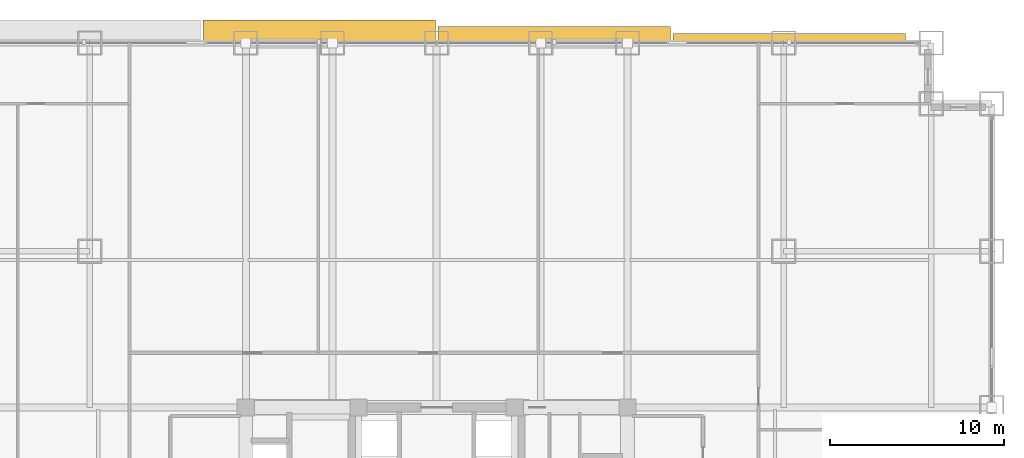
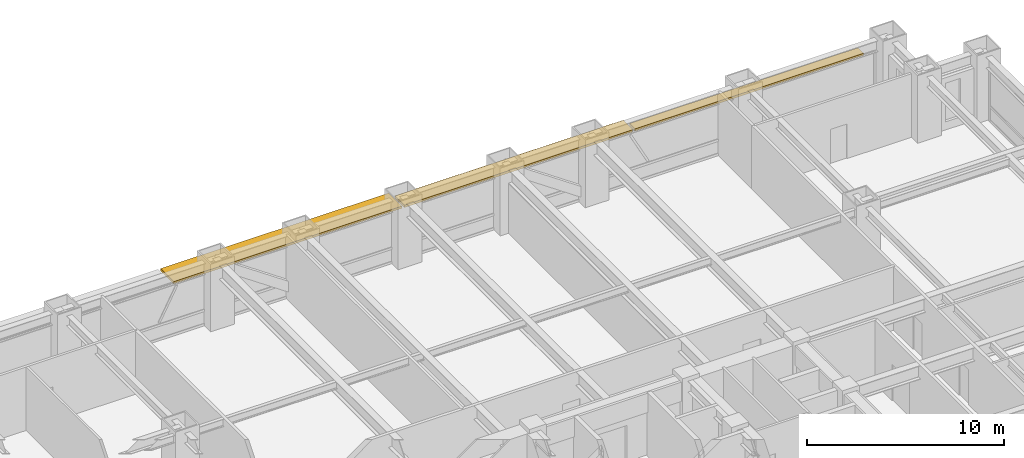
# One storey, part 32 of 32: 3 shading devices.
"""IFC4 building model written with IfcOpenShell, lengths in metres."""

from ifc_helpers import new_model, si_unit, direction, frame, origin, origin_2d, place, context, subcontext, project, spatial, rectangle, extrude, source, transform, mapped, material, layer, layer_set, type_object, element, save


model = new_model("IFC4")

# Units and contexts
model_context = context("Model", 3, precision=1e-05, world=origin(), true_north=direction((0.0, 1.0)))
body_context = subcontext(model_context, "Body", "Model", "MODEL_VIEW")
ifc_project = project(units=[si_unit("LENGTHUNIT", "METRE"), si_unit("AREAUNIT", "SQUARE_METRE"), si_unit("VOLUMEUNIT", "CUBIC_METRE"), si_unit("PLANEANGLEUNIT", "RADIAN"), si_unit("MASSUNIT", "GRAM", prefix="KILO")], contexts=[model_context])

# Site, building, storey
site_placement = place(None, origin())
site = spatial("IfcSite", under=ifc_project, at=site_placement, CompositionType="ELEMENT")
building_placement = place(site_placement, origin())
building = spatial("IfcBuilding", under=site, at=building_placement, Name="Khorayat Bourse Tower", CompositionType="ELEMENT")
storey_placement = place(building_placement, frame((0.0, 0.0, 70.39990234375)))
storey = spatial("IfcBuildingStorey", under=building, at=storey_placement, Name="L15", CompositionType="ELEMENT", Elevation=70.39990234375)

# Shading devices
ifc_material = material(Name="Precast concrete C45/55", Category="concrete")
ifc_layer = layer(ifc_material, 0.139892578125)
ifc_layer_set = layer_set([ifc_layer], Name="Precast concrete C45/55")
shading_device_type = type_object("IfcShadingDeviceType", Name="SHD-WAVE-TRAY-B", PredefinedType="USERDEFINED", material=ifc_layer_set)
shared_shape_1 = source(origin(), body_context, "Body", "SweptSolid", [
    extrude(rectangle(XDim=13.409912109375, YDim=1.341796875, at=origin_2d()), origin(), (0.0, 0.0, 1.0), 0.139892578125),
])
shading_device_1_placement = place(storey_placement, frame((-6.77490234375, 32.65087890625, 3.18994140625), z_axis=(0.0, 0.0, 1.0), x_axis=(1.0, 0.0, 0.0)))
element("IfcShadingDevice", 1, at=shading_device_1_placement, inside=storey, type_object=shading_device_type, Name="L15 Sinusoidal Wave Sunshade Tray N-2", ObjectType="SUNSHADE", PredefinedType="USERDEFINED", context=body_context, shape_type="MappedRepresentation", body=[
    mapped(shared_shape_1, transform((0.0, 0.0, 0.0), scale=1.0)),
])
shared_shape_2 = source(origin(), body_context, "Body", "SweptSolid", [
    extrude(rectangle(XDim=13.409912109375, YDim=0.976318359375, at=origin_2d()), origin(), (0.0, 0.0, 1.0), 0.139892578125),
])
shading_device_2_placement = place(storey_placement, frame((6.77490234375, 32.468017578125, 3.18994140625), z_axis=(0.0, 0.0, 1.0), x_axis=(1.0, 0.0, 0.0)))
element("IfcShadingDevice", 2, at=shading_device_2_placement, inside=storey, type_object=shading_device_type, Name="L15 Sinusoidal Wave Sunshade Tray N-3", ObjectType="SUNSHADE", PredefinedType="USERDEFINED", context=body_context, shape_type="MappedRepresentation", body=[
    mapped(shared_shape_2, transform((0.0, 0.0, 0.0), scale=1.0)),
])
shared_shape_3 = source(origin(), body_context, "Body", "SweptSolid", [
    extrude(rectangle(XDim=13.409912109375, YDim=0.56689453125, at=origin_2d()), origin(), (0.0, 0.0, 1.0), 0.139892578125),
])
shading_device_3_placement = place(storey_placement, frame((20.324951171875, 32.263427734375, 3.18994140625), z_axis=(0.0, 0.0, 1.0), x_axis=(1.0, 0.0, 0.0)))
element("IfcShadingDevice", 3, at=shading_device_3_placement, inside=storey, type_object=shading_device_type, Name="L15 Sinusoidal Wave Sunshade Tray N-4", ObjectType="SUNSHADE", PredefinedType="USERDEFINED", context=body_context, shape_type="MappedRepresentation", body=[
    mapped(shared_shape_3, transform((0.0, 0.0, 0.0), scale=1.0)),
])

save(model, "model.ifc")
